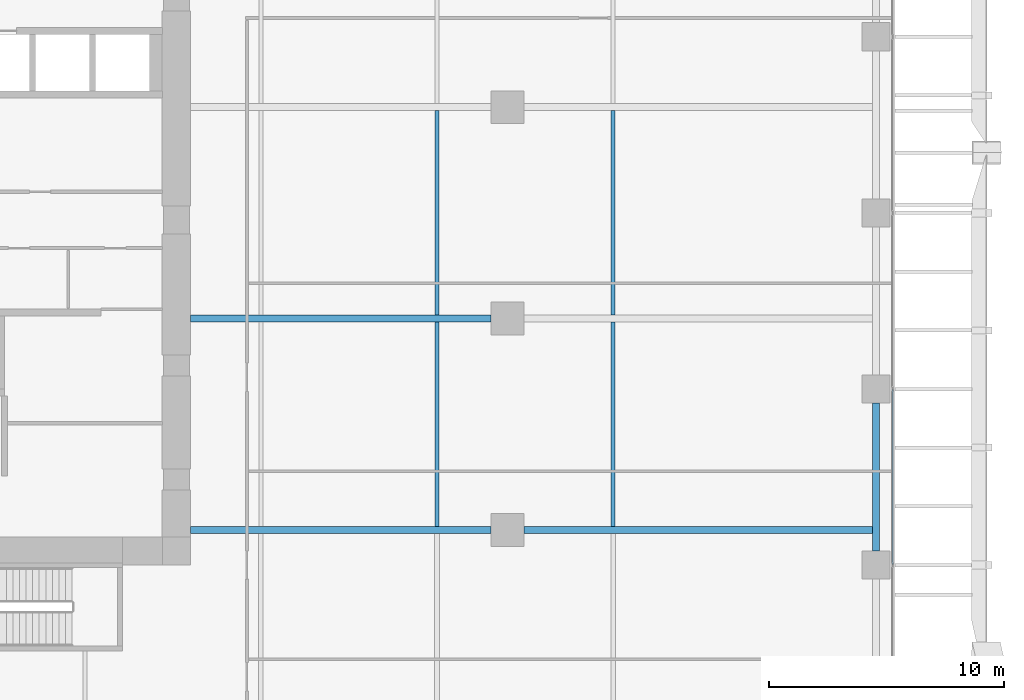
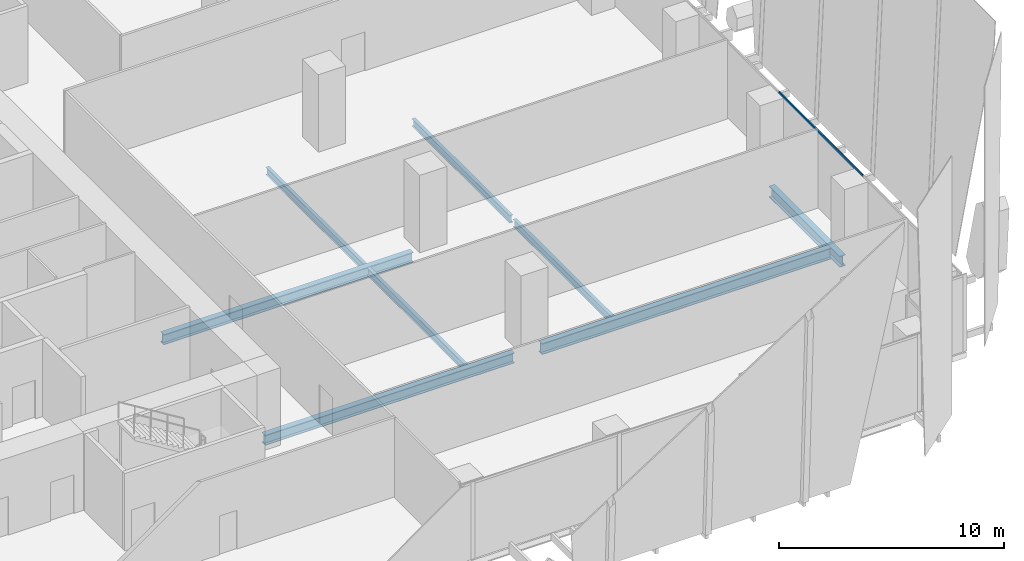
# One storey, part 9 of 35: 8 beams, 1 member, 1 element without a shape of its own.
"""IFC4 building model written with IfcOpenShell, lengths in metres."""

from ifc_helpers import new_model, si_unit, direction, frame, origin, origin_2d, place, context, subcontext, project, spatial, hollow_rectangle, i_section, extrude, source, transform, mapped, material, material_profile, profile_set, type_object, element, aggregate, save


model = new_model("IFC4")

# Units and contexts
model_context = context("Model", 3, precision=1e-05, world=origin(), true_north=direction((0.0, 1.0)))
body_context = subcontext(model_context, "Body", "Model", "MODEL_VIEW")
ifc_project = project(units=[si_unit("LENGTHUNIT", "METRE"), si_unit("AREAUNIT", "SQUARE_METRE"), si_unit("VOLUMEUNIT", "CUBIC_METRE"), si_unit("PLANEANGLEUNIT", "RADIAN"), si_unit("MASSUNIT", "GRAM", prefix="KILO")], contexts=[model_context])

# Site, building, storey
site_placement = place(None, origin())
site = spatial("IfcSite", under=ifc_project, at=site_placement, CompositionType="ELEMENT")
building_placement = place(site_placement, origin())
building = spatial("IfcBuilding", under=site, at=building_placement, Name="Khomas Fold Tower", CompositionType="ELEMENT")
storey_placement = place(building_placement, frame((0.0, 0.0, 87.0)))
storey = spatial("IfcBuildingStorey", under=building, at=storey_placement, Name="L18", CompositionType="ELEMENT", Elevation=87.0)

# Beams
ifc_material_1 = material(Name="Steel S355", Category="steel")
ifc_material_profile_1 = material_profile(ifc_material_1, i_section(OverallWidth=0.300048828125, OverallDepth=0.550048828125, WebThickness=0.014892578125, FlangeThickness=0.029052734375, at=origin_2d()), Name="HE 550 B")
ifc_profile_set_1 = profile_set([ifc_material_profile_1], Name="Steel S355")
beam_type_1 = type_object("IfcBeamType", Name="HE 550 B beam GB4", PredefinedType="BEAM", material=ifc_profile_set_1)
shared_shape_1 = source(origin(), body_context, "Body", "SweptSolid", [
    extrude(i_section(OverallWidth=0.300048828125, OverallDepth=0.550048828125, WebThickness=0.014892578125, FlangeThickness=0.029052734375, at=origin_2d()), origin(), (0.0, 0.0, 1.0), 12.800048828125),
])
for number, where, z_axis, x_axis, name in (
    (1, (24.0, 13.5, -0.574951171875), (1.0, 0.0, 0.0), (0.0, 1.0, 0.0), "GB4"),
    (2, (24.0, 22.5, -0.574951171875), (1.0, 0.0, 0.0), (0.0, 1.0, 0.0), "GB4"),
):
    element("IfcBeam", number, at=place(storey_placement, frame(where, z_axis=z_axis, x_axis=x_axis)), inside=storey, type_object=beam_type_1, Name=name, PredefinedType="BEAM", context=body_context, shape_type="MappedRepresentation", body=[
        mapped(shared_shape_1, transform((0.0, 0.0, 0.0))),
    ])
ifc_material_2 = material(Name="Steel S355", Category="steel")
ifc_material_profile_2 = material_profile(ifc_material_2, i_section(OverallWidth=0.179931640625, OverallDepth=0.39990234375, WebThickness=0.008544921875, FlangeThickness=0.013427734375, at=origin_2d()), Name="IPE 400")
ifc_profile_set_2 = profile_set([ifc_material_profile_2], Name="Steel S355")
beam_type_2 = type_object("IfcBeamType", Name="IPE 400 beam JB3", PredefinedType="BEAM", material=ifc_profile_set_2)
shared_shape_2 = source(origin(), body_context, "Body", "SweptSolid", [
    extrude(i_section(OverallWidth=0.179931640625, OverallDepth=0.39990234375, WebThickness=0.008544921875, FlangeThickness=0.013427734375, at=origin_2d()), origin(), (0.0, 0.0, 1.0), 8.7001953125),
])
for number, where, z_axis, x_axis, name in (
    (3, (34.5, 13.64990234375, -0.5), (0.0, 1.0, 0.0), (-1.0, 0.0, 0.0), "JB3"),
    (4, (34.5, 22.64990234375, -0.5), (0.0, 1.0, 0.0), (-1.0, 0.0, 0.0), "JB3"),
    (5, (42.0, 13.64990234375, -0.5), (0.0, 1.0, 0.0), (-1.0, 0.0, 0.0), "JB3"),
    (6, (42.0, 22.64990234375, -0.5), (0.0, 1.0, 0.0), (-1.0, 0.0, 0.0), "JB3"),
):
    element("IfcBeam", number, at=place(storey_placement, frame(where, z_axis=z_axis, x_axis=x_axis)), inside=storey, type_object=beam_type_2, Name=name, PredefinedType="BEAM", context=body_context, shape_type="MappedRepresentation", body=[
        mapped(shared_shape_2, transform((0.0, 0.0, 0.0))),
    ])
ifc_material_3 = material(Name="Steel S355", Category="steel")
ifc_material_profile_3 = material_profile(ifc_material_3, i_section(OverallWidth=0.300048828125, OverallDepth=0.60009765625, WebThickness=0.015380859375, FlangeThickness=0.030029296875, at=origin_2d()), Name="HE 600 B")
ifc_profile_set_3 = profile_set([ifc_material_profile_3], Name="Steel S355")
beam_type_3 = type_object("IfcBeamType", Name="HE 600 B spandrel SB1", PredefinedType="SPANDREL", material=ifc_profile_set_3)
shared_shape_3 = source(origin(), body_context, "Body", "SweptSolid", [
    extrude(i_section(OverallWidth=0.300048828125, OverallDepth=0.60009765625, WebThickness=0.015380859375, FlangeThickness=0.030029296875, at=origin_2d()), origin(), (0.0, 0.0, 1.0), 6.2998046875),
])
beam_1_placement = place(storey_placement, frame((53.199951171875, 12.60009765625, -0.60009765625), z_axis=(0.0, 1.0, 0.0), x_axis=(-1.0, 0.0, 0.0)))
element("IfcBeam", 7, at=beam_1_placement, inside=storey, type_object=beam_type_3, Name="SB1", PredefinedType="SPANDREL", context=body_context, shape_type="MappedRepresentation", body=[
    mapped(shared_shape_3, transform((0.0, 0.0, 0.0))),
])
ifc_material_4 = material(Name="Steel S355", Category="steel")
ifc_material_profile_4 = material_profile(ifc_material_4, i_section(OverallWidth=0.300048828125, OverallDepth=0.60009765625, WebThickness=0.015380859375, FlangeThickness=0.030029296875, at=origin_2d()), Name="HE 600 B")
ifc_profile_set_4 = profile_set([ifc_material_profile_4], Name="Steel S355")
beam_type_4 = type_object("IfcBeamType", Name="HE 600 B beam GB5", PredefinedType="BEAM", material=ifc_profile_set_4)
shared_shape_4 = source(origin(), body_context, "Body", "SweptSolid", [
    extrude(i_section(OverallWidth=0.300048828125, OverallDepth=0.60009765625, WebThickness=0.015380859375, FlangeThickness=0.030029296875, at=origin_2d()), origin(), (0.0, 0.0, 1.0), 14.85009765625),
])
beam_2_placement = place(storey_placement, frame((38.199951171875, 13.5, -0.60009765625), z_axis=(1.0, 0.0, 0.0), x_axis=(0.0, 1.0, 0.0)))
element("IfcBeam", 8, at=beam_2_placement, inside=storey, type_object=beam_type_4, Name="GB5", PredefinedType="BEAM", context=body_context, shape_type="MappedRepresentation", body=[
    mapped(shared_shape_4, transform((0.0, 0.0, 0.0))),
])

# Curtain wall, member
ifc_material_5 = material(Name="Aluminium framed double glazing", Category="aluminium")
curtain_wall_type = type_object("IfcCurtainWallType", Name="SK-Unitised clear-glass wall, growing floors CW1", PredefinedType="NOTDEFINED", material=ifc_material_5)
curtain_wall_placement = place(storey_placement, origin())
curtain_wall = element("IfcCurtainWall", 9, at=curtain_wall_placement, inside=storey, type_object=curtain_wall_type, Name="CW1 run L18 03-0", PredefinedType="NOTDEFINED")
ifc_material_6 = material(Name="Aluminium", Category="aluminium")
ifc_material_profile_5 = material_profile(ifc_material_6, hollow_rectangle(XDim=0.06005859375, YDim=0.1201171875, WallThickness=0.00390625, at=origin_2d()), Name="SK-Unitised clear-glass wall, growing floors transom CW1-T")
ifc_profile_set_5 = profile_set([ifc_material_profile_5], Name="Aluminium")
member_type = type_object("IfcMemberType", Name="SK-Unitised clear-glass wall, growing floors transom CW1-T", PredefinedType="USERDEFINED", material=ifc_profile_set_5)
shared_shape_5 = source(origin(), body_context, "Body", "SweptSolid", [
    extrude(hollow_rectangle(XDim=0.06005859375, YDim=0.1201171875, WallThickness=0.00390625, at=origin_2d()), origin(), (0.0, 0.0, 1.0), 7.43994140625),
])
member_placement = place(storey_placement, frame((53.89990234375, 12.030029296875, 4.139892578125), z_axis=(0.0, 1.0, 0.0), x_axis=(-1.0, 0.0, 0.0)))
member = element("IfcMember", 10, at=member_placement, type_object=member_type, Name="CW1 transom 3", ObjectType="TRANSOM", PredefinedType="USERDEFINED", context=body_context, shape_type="MappedRepresentation", body=[
    mapped(shared_shape_5, transform((0.0, 0.0, 0.0))),
])
aggregate(curtain_wall, [member])

save(model, "model.ifc")
